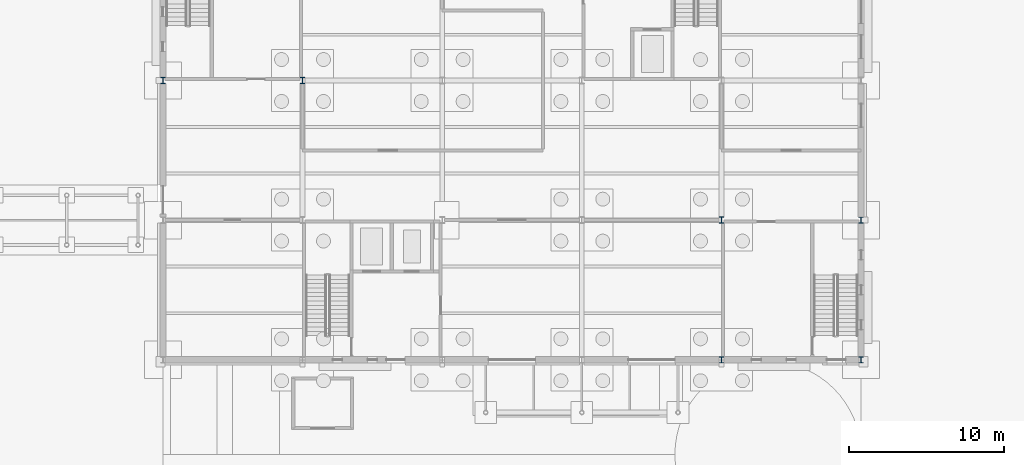
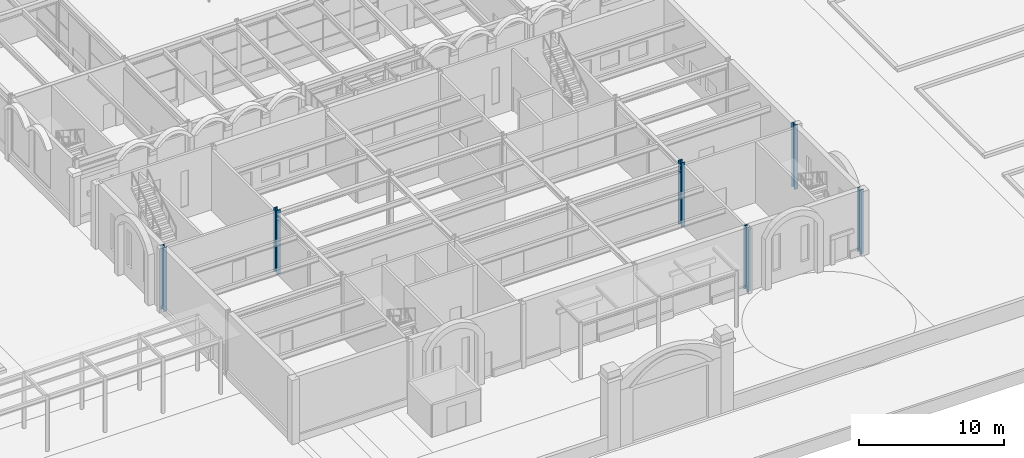
# One storey, part 10 of 126: 6 columns.
"""IFC4 building model written with IfcOpenShell, lengths in metres."""

from ifc_helpers import new_model, si_unit, direction, frame, origin, origin_2d, place, context, subcontext, project, spatial, i_section, extrude, material, material_profile, profile_set, type_object, element, save


model = new_model("IFC4")

# Units and contexts
model_context = context("Model", 3, precision=1e-05, world=origin(), true_north=direction((0.0, 1.0)))
body_context = subcontext(model_context, "Body", "Model", "MODEL_VIEW")
ifc_project = project(units=[si_unit("LENGTHUNIT", "METRE"), si_unit("AREAUNIT", "SQUARE_METRE"), si_unit("VOLUMEUNIT", "CUBIC_METRE"), si_unit("PLANEANGLEUNIT", "RADIAN"), si_unit("MASSUNIT", "GRAM", prefix="KILO")], contexts=[model_context])

# Site, building, storey
site_placement = place(None, origin())
site = spatial("IfcSite", under=ifc_project, at=site_placement, CompositionType="ELEMENT")
building_placement = place(site_placement, origin())
building = spatial("IfcBuilding", under=site, at=building_placement, Name="Kallimachos Central Library", CompositionType="ELEMENT")
storey_placement = place(building_placement, origin())
storey = spatial("IfcBuildingStorey", under=building, at=storey_placement, Name="L00", CompositionType="ELEMENT", Elevation=0.0)

# Columns
ifc_material_1 = material(Name="Steel S355J2", Category="steel")
ifc_material_profile_1 = material_profile(ifc_material_1, i_section(OverallWidth=0.300048828125, OverallDepth=0.39990234375, WebThickness=0.013427734375, FlangeThickness=0.02392578125, FilletRadius=0.027099609375, at=origin_2d()), Name="HEB 400")
ifc_profile_set_1 = profile_set([ifc_material_profile_1], Name="Steel S355J2")
column_type_1 = type_object("IfcColumnType", Name="HEB 400 column", PredefinedType="COLUMN", material=ifc_profile_set_1)
for number, where, z_axis, x_axis, name in (
    (1, (101.5, 18.0, 0.0), (0.0, 0.0, 1.0), (1.0, 0.0, 0.0), "V5-COL-L00-005"),
    (2, (110.5, 18.0, 0.0), (0.0, 0.0, 1.0), (1.0, 0.0, 0.0), "V5-COL-L00-006"),
    (3, (110.5, 27.0, 0.0), (0.0, 0.0, 1.0), (1.0, 0.0, 0.0), "V5-COL-L00-012"),
    (4, (65.5, 36.0, 0.0), (0.0, 0.0, 1.0), (1.0, 0.0, 0.0), "V5-COL-L00-013"),
):
    element("IfcColumn", number, at=place(storey_placement, frame(where, z_axis=z_axis, x_axis=x_axis)), inside=storey, type_object=column_type_1, Name=name, PredefinedType="COLUMN", context=body_context, shape_type="SweptSolid", body=[
        extrude(i_section(OverallWidth=0.300048828125, OverallDepth=0.39990234375, WebThickness=0.013427734375, FlangeThickness=0.02392578125, FilletRadius=0.027099609375, at=origin_2d()), origin(), (0.0, 0.0, 1.0), 5.39990234375),
    ])
ifc_material_2 = material(Name="Steel S355J2", Category="steel")
ifc_material_profile_2 = material_profile(ifc_material_2, i_section(OverallWidth=0.306884765625, OverallDepth=0.431884765625, WebThickness=0.02099609375, FlangeThickness=0.0400390625, FilletRadius=0.027099609375, at=origin_2d()), Name="HEM 400")
ifc_profile_set_2 = profile_set([ifc_material_profile_2], Name="Steel S355J2")
column_type_2 = type_object("IfcColumnType", Name="HEM 400 column", PredefinedType="COLUMN", material=ifc_profile_set_2)
for number, where, z_axis, x_axis, name in (
    (5, (101.5, 27.0, 0.0), (0.0, 0.0, 1.0), (1.0, 0.0, 0.0), "V5-COL-L00-011"),
    (6, (74.5, 36.0, 0.0), (0.0, 0.0, 1.0), (1.0, 0.0, 0.0), "V5-COL-L00-014"),
):
    element("IfcColumn", number, at=place(storey_placement, frame(where, z_axis=z_axis, x_axis=x_axis)), inside=storey, type_object=column_type_2, Name=name, PredefinedType="COLUMN", context=body_context, shape_type="SweptSolid", body=[
        extrude(i_section(OverallWidth=0.306884765625, OverallDepth=0.431884765625, WebThickness=0.02099609375, FlangeThickness=0.0400390625, FilletRadius=0.027099609375, at=origin_2d()), origin(), (0.0, 0.0, 1.0), 5.39990234375),
    ])

save(model, "model.ifc")
